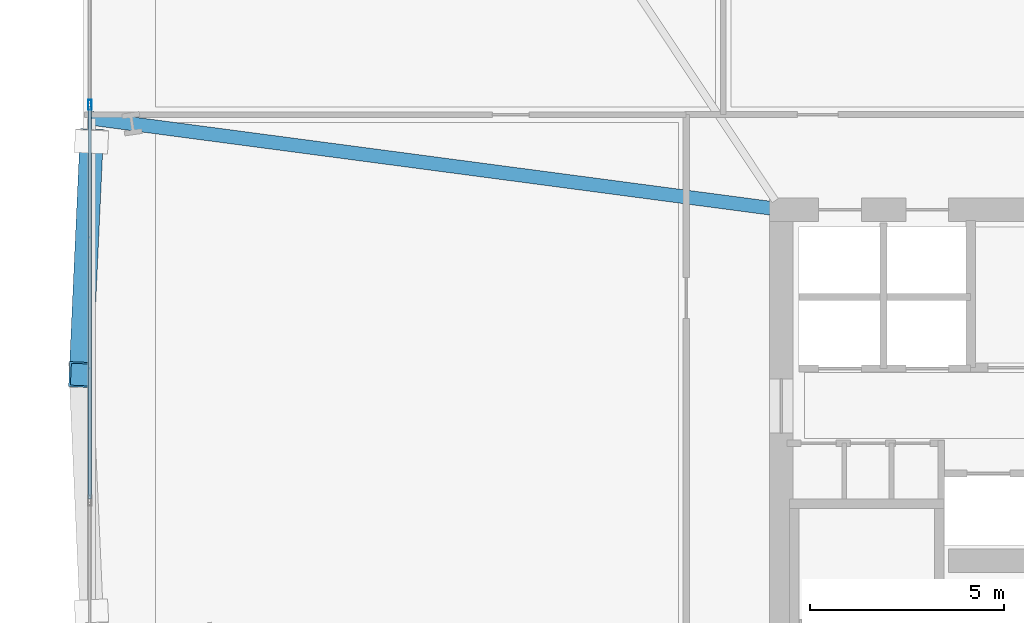
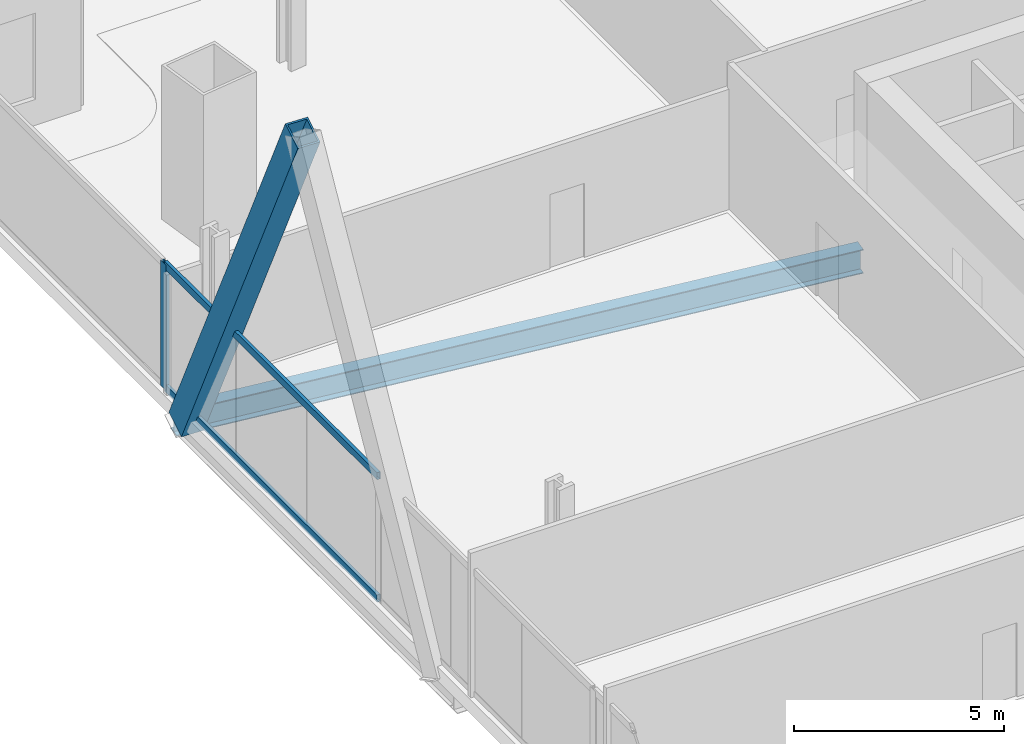
# One storey, part 12 of 29: 4 members, 1 beam, 1 element without a shape of its own.
"""IFC4 building model written with IfcOpenShell, lengths in metres."""

from ifc_helpers import new_model, si_unit, direction, frame, origin, origin_2d, place, context, subcontext, project, spatial, hollow_rectangle, i_section, extrude, material, material_profile, profile_set, type_object, element, aggregate, save


model = new_model("IFC4")

# Units and contexts
model_context = context("Model", 3, precision=1e-05, world=origin(), true_north=direction((0.0, 1.0)))
body_context = subcontext(model_context, "Body", "Model", "MODEL_VIEW")
ifc_project = project(units=[si_unit("LENGTHUNIT", "METRE"), si_unit("AREAUNIT", "SQUARE_METRE"), si_unit("VOLUMEUNIT", "CUBIC_METRE"), si_unit("PLANEANGLEUNIT", "RADIAN"), si_unit("MASSUNIT", "GRAM", prefix="KILO")], contexts=[model_context])

# Site, building, storey
site_placement = place(None, origin())
site = spatial("IfcSite", under=ifc_project, at=site_placement, CompositionType="ELEMENT")
building_placement = place(site_placement, origin())
building = spatial("IfcBuilding", under=site, at=building_placement, Name="Haldenkirk Collegiate Tower", CompositionType="ELEMENT")
storey_placement = place(building_placement, frame((0.0, 0.0, 28.199951171875)))
storey = spatial("IfcBuildingStorey", under=building, at=storey_placement, Name="L05", CompositionType="ELEMENT", Elevation=28.199951171875)

# Beam
ifc_material_1 = material(Name="Steel ASTM A992 Grade 50", Category="steel")
ifc_material_profile_1 = material_profile(ifc_material_1, i_section(OverallWidth=0.35498046875, OverallDepth=0.696044921875, WebThickness=0.015380859375, FlangeThickness=0.02490234375, at=origin_2d()), Name="W27X146")
ifc_profile_set_1 = profile_set([ifc_material_profile_1], Name="Steel ASTM A992 Grade 50")
beam_type = type_object("IfcBeamType", Name="BM-GIRDER-W27X146", PredefinedType="BEAM", material=ifc_profile_set_1)
beam_placement = place(storey_placement, frame((9.219970703125, 36.351318359375, -0.758056640625), z_axis=(0.991368039838, -0.131108388697, 0.0), x_axis=(0.131108388697, 0.991368039838, 0.0)))
element("IfcBeam", 1, at=beam_placement, inside=storey, type_object=beam_type, Name="L05 primary floor girder 14", PredefinedType="BEAM", context=body_context, shape_type="SweptSolid", body=[
    extrude(i_section(OverallWidth=0.35498046875, OverallDepth=0.696044921875, WebThickness=0.015380859375, FlangeThickness=0.02490234375, at=origin_2d()), origin(), (0.0, 0.0, 1.0), 17.65478515625),
])

# Curtain wall, members
ifc_material_2 = material(Name="Anodised architectural bronze aluminium", Category="aluminium")
curtain_wall_type = type_object("IfcCurtainWallType", Name="CW-SYS4-SKYGARDEN", PredefinedType="USERDEFINED", material=ifc_material_2)
curtain_wall_placement = place(storey_placement, origin())
curtain_wall = element("IfcCurtainWall", 2, at=curtain_wall_placement, inside=storey, type_object=curtain_wall_type, Name="L05 Sky-garden tall bronze curtain wall", ObjectType="UNITISED CURTAIN WALL", PredefinedType="USERDEFINED")
ifc_material_profile_2 = material_profile(ifc_material_2, hollow_rectangle(XDim=0.090087890625, YDim=0.260009765625, WallThickness=0.0048828125, at=origin_2d()), Name="CW-MUL-04")
ifc_profile_set_2 = profile_set([ifc_material_profile_2], Name="Anodised architectural bronze aluminium")
member_type_1 = type_object("IfcMemberType", Name="CW-MUL-04", PredefinedType="MULLION", material=ifc_profile_set_2)
member_1_placement = place(storey_placement, frame((9.179931640625, 36.699951171875, 0.0), z_axis=(0.0, 0.0, 1.0), x_axis=(-1.0, 0.0, 0.0)))
member_1 = element("IfcMember", 3, at=member_1_placement, type_object=member_type_1, Name="CW-04 mullion 4", PredefinedType="MULLION", context=body_context, shape_type="SweptSolid", body=[
    extrude(hollow_rectangle(XDim=0.090087890625, YDim=0.260009765625, WallThickness=0.0048828125, at=origin_2d()), origin(), (0.0, 0.0, 1.0), 3.64111328125),
])
ifc_material_profile_3 = material_profile(ifc_material_2, hollow_rectangle(XDim=0.090087890625, YDim=0.2099609375, WallThickness=0.0048828125, at=origin_2d()), Name="CW-TRN-04")
ifc_profile_set_3 = profile_set([ifc_material_profile_3], Name="Anodised architectural bronze aluminium")
member_type_2 = type_object("IfcMemberType", Name="CW-TRN-04", PredefinedType="USERDEFINED", material=ifc_profile_set_3)
member_2_placement = place(storey_placement, frame((9.179931640625, 26.544921875, 0.045166015625), z_axis=(0.0, 1.0, 0.0), x_axis=(-1.0, 0.0, 0.0)))
member_2 = element("IfcMember", 4, at=member_2_placement, type_object=member_type_2, Name="CW-04 transom 3.1", ObjectType="TRANSOM", PredefinedType="USERDEFINED", context=body_context, shape_type="SweptSolid", body=[
    extrude(hollow_rectangle(XDim=0.090087890625, YDim=0.2099609375, WallThickness=0.0048828125, at=origin_2d()), origin(), (0.0, 0.0, 1.0), 10.110107421875),
])
member_3_placement = place(storey_placement, frame((9.179931640625, 26.544921875, 3.595947265625), z_axis=(0.0, 1.0, 0.0), x_axis=(-1.0, 0.0, 0.0)))
member_3 = element("IfcMember", 5, at=member_3_placement, type_object=member_type_2, Name="CW-04 transom 3.2", ObjectType="TRANSOM", PredefinedType="USERDEFINED", context=body_context, shape_type="SweptSolid", body=[
    extrude(hollow_rectangle(XDim=0.090087890625, YDim=0.2099609375, WallThickness=0.0048828125, at=origin_2d()), origin(), (0.0, 0.0, 1.0), 10.110107421875),
])
aggregate(curtain_wall, [member_1, member_2, member_3])

# Member
ifc_material_3 = material(Name="Steel ASTM A572 Grade 50", Category="steel")
ifc_material_profile_4 = material_profile(ifc_material_3, hollow_rectangle(XDim=0.60009765625, YDim=0.719970703125, WallThickness=0.044921875, at=origin_2d()), Name="BOX720X600X45")
ifc_profile_set_4 = profile_set([ifc_material_profile_4], Name="Steel ASTM A572 Grade 50")
member_type_3 = type_object("IfcMemberType", Name="MBR-MEGABRACE-BOX720X600X45", PredefinedType="BRACE", material=ifc_profile_set_4)
member_4_placement = place(storey_placement, frame((9.219970703125, 35.75146484375, -0.419921875), z_axis=(-0.020311119853, -0.444423204332, 0.895586664629), x_axis=(0.998957287429, -0.045654549527, 0.0)))
element("IfcMember", 6, at=member_4_placement, inside=storey, type_object=member_type_3, Name="Perimeter Mega Brace Z1 L05-L07 WL", PredefinedType="BRACE", context=body_context, shape_type="SweptSolid", body=[
    extrude(hollow_rectangle(XDim=0.60009765625, YDim=0.719970703125, WallThickness=0.044921875, at=origin_2d()), origin(), (0.0, 0.0, 1.0), 13.510498046875),
])

save(model, "model.ifc")
